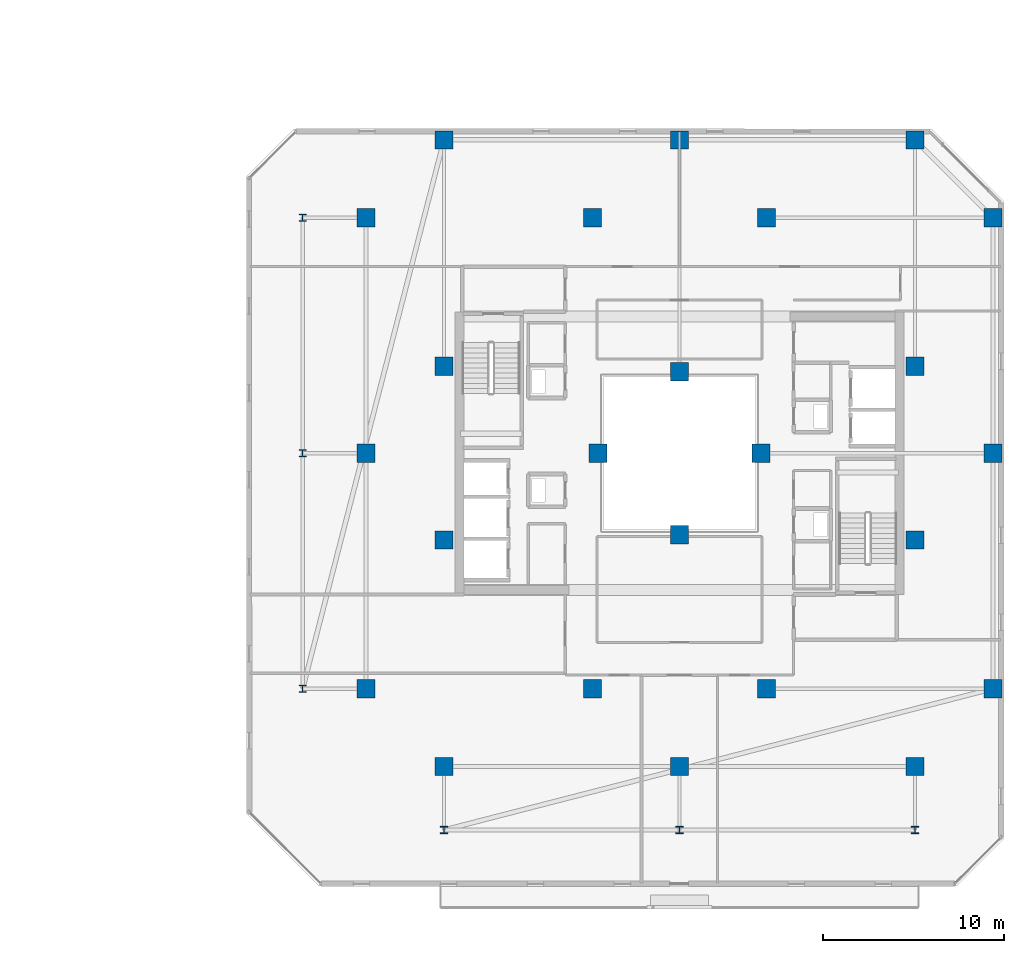
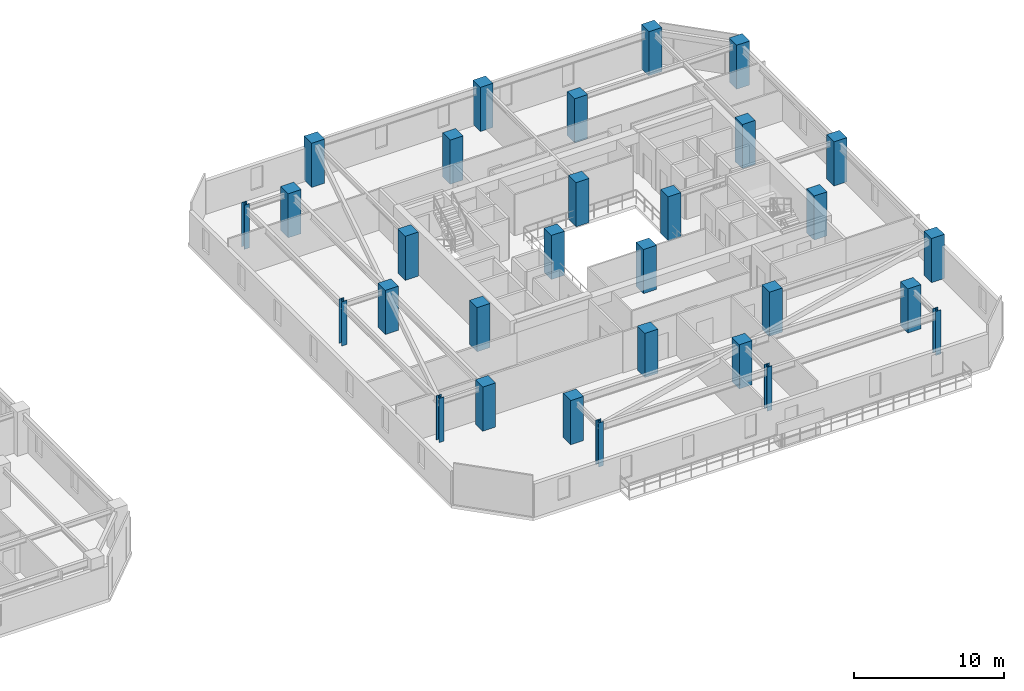
# One storey, part 2 of 33: 30 columns.
"""IFC4 building model written with IfcOpenShell, lengths in metres."""

from ifc_helpers import new_model, si_unit, direction, frame, origin, origin_2d, place, context, subcontext, project, spatial, rectangle, i_section, extrude, material, material_profile, profile_set, type_object, element, save


model = new_model("IFC4")

# Units and contexts
model_context = context("Model", 3, precision=1e-05, world=origin(), true_north=direction((0.0, 1.0)))
body_context = subcontext(model_context, "Body", "Model", "MODEL_VIEW")
ifc_project = project(units=[si_unit("LENGTHUNIT", "METRE"), si_unit("AREAUNIT", "SQUARE_METRE"), si_unit("VOLUMEUNIT", "CUBIC_METRE"), si_unit("PLANEANGLEUNIT", "RADIAN"), si_unit("MASSUNIT", "GRAM", prefix="KILO")], contexts=[model_context])

# Site, building, storey
site_placement = place(None, origin())
site = spatial("IfcSite", under=ifc_project, at=site_placement, CompositionType="ELEMENT")
building_placement = place(site_placement, origin())
building = spatial("IfcBuilding", under=site, at=building_placement, Name="Thornwick Lancets Civic Towers", CompositionType="ELEMENT")
storey_placement = place(building_placement, frame((0.0, 0.0, 203.699951171875)))
storey = spatial("IfcBuildingStorey", under=building, at=storey_placement, Name="L54", CompositionType="ELEMENT", Elevation=203.699951171875)

# Columns
ifc_material_1 = material(Name="Concrete C50/60", Category="concrete")
ifc_material_profile_1 = material_profile(ifc_material_1, rectangle(XDim=1.0, YDim=1.0, at=origin_2d()), Name="RC 1000x1000")
ifc_profile_set_1 = profile_set([ifc_material_profile_1], Name="Concrete C50/60")
column_type_1 = type_object("IfcColumnType", Name="COL_RC_1000", PredefinedType="COLUMN", material=ifc_profile_set_1)
for number, where, z_axis, x_axis, name in (
    (1, (105.800048828125, 14.0, 0.0), (0.0, 0.0, 1.0), (1.0, 0.0, 0.0), "L54 Spine Mega-Column B01"),
    (2, (105.800048828125, 27.0, 0.0), (0.0, 0.0, 1.0), (1.0, 0.0, 0.0), "L54 Spine Mega-Column B02"),
    (3, (105.800048828125, 40.0, 0.0), (0.0, 0.0, 1.0), (1.0, 0.0, 0.0), "L54 Spine Mega-Column B03"),
    (4, (101.5, 44.300048828125, 0.0), (0.0, 0.0, 1.0), (1.0, 0.0, 0.0), "L54 Spine Mega-Column B04"),
    (5, (88.5, 44.300048828125, 0.0), (0.0, 0.0, 1.0), (1.0, 0.0, 0.0), "L54 Spine Mega-Column B05"),
    (6, (75.5, 44.300048828125, 0.0), (0.0, 0.0, 1.0), (1.0, 0.0, 0.0), "L54 Spine Mega-Column B06"),
    (7, (71.199951171875, 14.0, 0.0), (0.0, 0.0, 1.0), (1.0, 0.0, 0.0), "L54 Spine Mega-Column B07"),
    (8, (71.199951171875, 27.0, 0.0), (0.0, 0.0, 1.0), (1.0, 0.0, 0.0), "L54 Spine Mega-Column B08"),
    (9, (71.199951171875, 40.0, 0.0), (0.0, 0.0, 1.0), (1.0, 0.0, 0.0), "L54 Spine Mega-Column B09"),
    (10, (101.5, 9.699951171875, 0.0), (0.0, 0.0, 1.0), (1.0, 0.0, 0.0), "L54 Spine Mega-Column B10"),
    (11, (88.5, 9.699951171875, 0.0), (0.0, 0.0, 1.0), (1.0, 0.0, 0.0), "L54 Spine Mega-Column B11"),
    (12, (75.5, 9.699951171875, 0.0), (0.0, 0.0, 1.0), (1.0, 0.0, 0.0), "L54 Spine Mega-Column B12"),
    (13, (93.300048828125, 14.0, 0.0), (0.0, 0.0, 1.0), (1.0, 0.0, 0.0), "L54 Spine Mega-Column B13"),
    (14, (93.300048828125, 40.0, 0.0), (0.0, 0.0, 1.0), (1.0, 0.0, 0.0), "L54 Spine Mega-Column B14"),
    (15, (83.699951171875, 14.0, 0.0), (0.0, 0.0, 1.0), (1.0, 0.0, 0.0), "L54 Spine Mega-Column B15"),
    (16, (83.699951171875, 40.0, 0.0), (0.0, 0.0, 1.0), (1.0, 0.0, 0.0), "L54 Spine Mega-Column B16"),
    (17, (101.5, 22.199951171875, 0.0), (0.0, 0.0, 1.0), (1.0, 0.0, 0.0), "L54 Spine Mega-Column B17"),
    (18, (101.5, 31.800048828125, 0.0), (0.0, 0.0, 1.0), (1.0, 0.0, 0.0), "L54 Spine Mega-Column B18"),
    (19, (75.5, 22.199951171875, 0.0), (0.0, 0.0, 1.0), (1.0, 0.0, 0.0), "L54 Spine Mega-Column B19"),
    (20, (75.5, 31.800048828125, 0.0), (0.0, 0.0, 1.0), (1.0, 0.0, 0.0), "L54 Spine Mega-Column B20"),
    (21, (93.0, 27.0, 0.0), (0.0, 0.0, 1.0), (1.0, 0.0, 0.0), "L54 Spine Mega-Column B21"),
    (22, (84.0, 27.0, 0.0), (0.0, 0.0, 1.0), (1.0, 0.0, 0.0), "L54 Spine Mega-Column B22"),
    (23, (88.5, 22.5, 0.0), (0.0, 0.0, 1.0), (1.0, 0.0, 0.0), "L54 Spine Mega-Column B23"),
    (24, (88.5, 31.5, 0.0), (0.0, 0.0, 1.0), (1.0, 0.0, 0.0), "L54 Spine Mega-Column B24"),
):
    element("IfcColumn", number, at=place(storey_placement, frame(where, z_axis=z_axis, x_axis=x_axis)), inside=storey, type_object=column_type_1, Name=name, PredefinedType="COLUMN", context=body_context, shape_type="SweptSolid", body=[
        extrude(rectangle(XDim=1.0, YDim=1.0, at=origin_2d()), origin(), (0.0, 0.0, 1.0), 3.60009765625),
    ])
ifc_material_2 = material(Name="Steel S355JR", Category="steel")
ifc_material_profile_2 = material_profile(ifc_material_2, i_section(OverallWidth=0.39892578125, OverallDepth=0.3935546875, WebThickness=0.022705078125, FlangeThickness=0.03662109375, FilletRadius=0.01513671875, at=origin_2d()), Name="UKC 356x406x287")
ifc_profile_set_2 = profile_set([ifc_material_profile_2], Name="Steel S355JR")
column_type_2 = type_object("IfcColumnType", Name="COL_UKC_287", PredefinedType="COLUMN", material=ifc_profile_set_2)
for number, where, z_axis, x_axis, name in (
    (25, (67.699951171875, 14.0, 0.0), (0.0, 0.0, 1.0), (1.0, 0.0, 0.0), "L54 Block Perimeter Column B07"),
    (26, (67.699951171875, 27.0, 0.0), (0.0, 0.0, 1.0), (1.0, 0.0, 0.0), "L54 Block Perimeter Column B08"),
    (27, (67.699951171875, 40.0, 0.0), (0.0, 0.0, 1.0), (1.0, 0.0, 0.0), "L54 Block Perimeter Column B09"),
    (28, (101.5, 6.199951171875, 0.0), (0.0, 0.0, 1.0), (1.0, 0.0, 0.0), "L54 Block Perimeter Column B10"),
    (29, (88.5, 6.199951171875, 0.0), (0.0, 0.0, 1.0), (1.0, 0.0, 0.0), "L54 Block Perimeter Column B11"),
    (30, (75.5, 6.199951171875, 0.0), (0.0, 0.0, 1.0), (1.0, 0.0, 0.0), "L54 Block Perimeter Column B12"),
):
    element("IfcColumn", number, at=place(storey_placement, frame(where, z_axis=z_axis, x_axis=x_axis)), inside=storey, type_object=column_type_2, Name=name, PredefinedType="COLUMN", context=body_context, shape_type="SweptSolid", body=[
        extrude(i_section(OverallWidth=0.39892578125, OverallDepth=0.3935546875, WebThickness=0.022705078125, FlangeThickness=0.03662109375, FilletRadius=0.01513671875, at=origin_2d()), origin(), (0.0, 0.0, 1.0), 3.60009765625),
    ])

save(model, "model.ifc")
